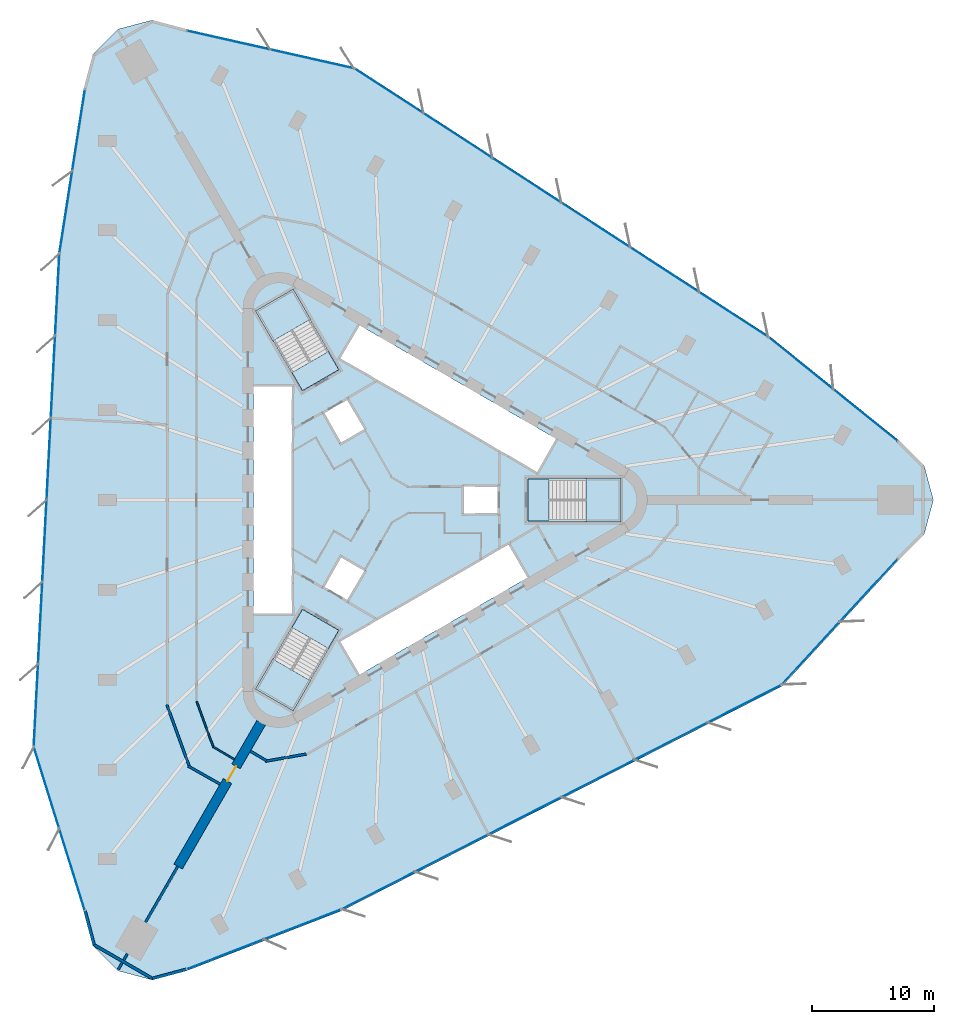
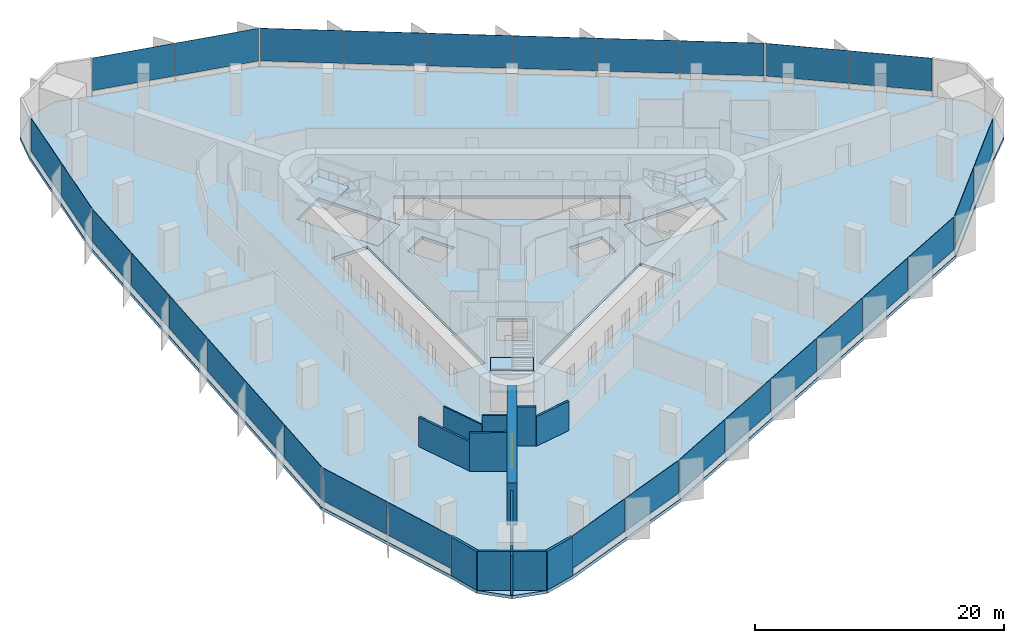
# One storey, part 8 of 14: 30 plates, 13 walls, 7 slabs, 1 door, 1 opening, 12 elements without a shape of their own.
"""IFC4 building model written with IfcOpenShell, lengths in metres."""

from ifc_helpers import new_model, si_unit, direction, frame, frame_2d, origin, origin_2d, place, context, subcontext, project, spatial, polyline, rectangle, outline, extrude, material, layer, layer_set, type_object, element, fill, aggregate, save


model = new_model("IFC4")

# Units and contexts
model_context = context("Model", 3, precision=1e-05, world=origin(), true_north=direction((0.0, 1.0)))
body_context = subcontext(model_context, "Body", "Model", "MODEL_VIEW")
ifc_project = project(units=[si_unit("LENGTHUNIT", "METRE"), si_unit("AREAUNIT", "SQUARE_METRE"), si_unit("VOLUMEUNIT", "CUBIC_METRE"), si_unit("PLANEANGLEUNIT", "RADIAN"), si_unit("MASSUNIT", "GRAM", prefix="KILO")], contexts=[model_context])

# Site, building, storey
site_placement = place(None, origin())
site = spatial("IfcSite", under=ifc_project, at=site_placement, CompositionType="ELEMENT")
building_placement = place(site_placement, origin())
building = spatial("IfcBuilding", under=site, at=building_placement, Name="Tanit Gate Tower", CompositionType="ELEMENT")
storey_placement = place(building_placement, frame((0.0, 0.0, 78.300048828125)))
storey = spatial("IfcBuildingStorey", under=building, at=storey_placement, Name="L15", CompositionType="ELEMENT", Elevation=78.300048828125)

# Slab
ifc_material_1 = material(Name="Concrete C35/45", Category="concrete")
ifc_layer_1 = layer(ifc_material_1, 0.300048828125)
ifc_layer_set_1 = layer_set([ifc_layer_1], Name="FLOOR SLAB 300 C35/45")
slab_type_1 = type_object("IfcSlabType", Name="FLOOR SLAB 300 C35/45", PredefinedType="FLOOR", material=ifc_layer_set_1)
slab_1_placement = place(storey_placement, frame((0.0, 0.0, -0.300048828125)))
element("IfcSlab", 1, at=slab_1_placement, inside=storey, type_object=slab_type_1, Name="FLOOR SLAB L15", PredefinedType="FLOOR", context=body_context, shape_type="SweptSolid", body=[
    extrude(outline(polyline([(41.88818359375, 4.897705078125), (43.958251953125, 2.82763671875), (44.716064453125, 0.0), (43.958251953125, -2.82763671875), (41.88818359375, -4.897705078125), (32.2783203125, -15.314697265625), (-3.930419921875, -33.78564453125), (-16.70263671875, -38.72509765625), (-19.5302734375, -39.48291015625), (-22.35791015625, -38.72509765625), (-24.427978515625, -36.6552734375), (-25.185791015625, -33.827392578125), (-29.40234375, -20.29638671875), (-27.294189453125, 20.29638671875), (-25.185791015625, 33.827392578125), (-24.427978515625, 36.6552734375), (-22.35791015625, 38.72509765625), (-19.5302734375, 39.48291015625), (-16.70263671875, 38.72509765625), (-2.876220703125, 35.611328125), (31.224365234375, 13.489013671875), (41.88818359375, 4.897705078125)]), holes=[polyline([(11.3701171875, 1.72998046875), (18.929931640625, 1.72998046875), (18.929931640625, -1.72998046875), (11.3701171875, -1.72998046875), (11.3701171875, 1.72998046875)]), polyline([(-4.208984375, 11.60986328125), (-2.583984375, 14.424560546875), (13.783935546875, 4.974609375), (12.158935546875, 2.159912109375), (-4.208984375, 11.60986328125)]), polyline([(-4.208984375, -11.60986328125), (9.82080078125, -3.510009765625), (11.44580078125, -6.324462890625), (-2.583984375, -14.424560546875), (-4.208984375, -11.60986328125)]), polyline([(9.0, 1.199951171875), (9.0, -1.199951171875), (6.0, -1.199951171875), (6.0, 1.199951171875), (9.0, 1.199951171875)]), polyline([(-5.539306640625, 7.194091796875), (-3.460693359375, 8.394287109375), (-1.960693359375, 5.796142578125), (-4.039306640625, 4.59619140625), (-5.539306640625, 7.194091796875)]), polyline([(-1.960693359375, -5.796142578125), (-3.460693359375, -8.394287109375), (-5.539306640625, -7.194091796875), (-4.039306640625, -4.59619140625), (-1.960693359375, -5.796142578125)]), polyline([(-10.963134765625, 15.52880859375), (-7.966796875, 17.2587890625), (-4.186767578125, 10.711669921875), (-7.18310546875, 8.981689453125), (-10.963134765625, 15.52880859375)]), polyline([(-4.186767578125, -10.711669921875), (-7.966796875, -17.2587890625), (-10.963134765625, -15.52880859375), (-7.18310546875, -8.981689453125), (-4.186767578125, -10.711669921875)]), polyline([(-11.199951171875, -9.449951171875), (-11.199951171875, 9.449951171875), (-7.949951171875, 9.449951171875), (-7.949951171875, -9.449951171875), (-11.199951171875, -9.449951171875)])]), origin(), (0.0, 0.0, 1.0), 0.300048828125),
])

# Curtain wall, plates
ifc_material_2 = material(Name="Aluminium bronze anodised and glass", Category="aluminium")
curtain_wall_type = type_object("IfcCurtainWallType", Name="Curtain wall typical low", PredefinedType="NOTDEFINED", material=ifc_material_2)
curtain_wall_1_placement = place(storey_placement, origin())
curtain_wall_1 = element("IfcCurtainWall", 2, at=curtain_wall_1_placement, inside=storey, type_object=curtain_wall_type, Name="Curtain wall L15 NE1", PredefinedType="NOTDEFINED")
ifc_material_3 = material(Name="Glass tinted", Category="glass")
ifc_layer_2 = layer(ifc_material_3, 0.031982421875)
ifc_layer_set_2 = layer_set([ifc_layer_2], Name="Glass panel 32 typical low")
plate_type = type_object("IfcPlateType", Name="Glass panel 32 typical low", PredefinedType="CURTAIN_PANEL", material=ifc_layer_set_2)
plate_1_placement = place(storey_placement, frame((39.12890625, 6.966796875, 0.60009765625), z_axis=(0.0, 0.0, 1.0), x_axis=(-0.77871831753, 0.627373717925, 0.0)))
plate_1 = element("IfcPlate", 3, at=plate_1_placement, type_object=plate_type, Name="Glass panel L15 NE1.1", PredefinedType="CURTAIN_PANEL", context=body_context, shape_type="SweptSolid", body=[
    extrude(rectangle(XDim=6.720703125, YDim=0.031982421875, at=origin_2d()), origin(), (0.0, 0.0, 1.0), 3.199951171875),
])
plate_2_placement = place(storey_placement, frame((33.8330078125, 11.2333984375, 0.60009765625), z_axis=(0.0, 0.0, 1.0), x_axis=(-0.77871831753, 0.627373717925, 0.0)))
plate_2 = element("IfcPlate", 4, at=plate_2_placement, type_object=plate_type, Name="Glass panel L15 NE1.2", PredefinedType="CURTAIN_PANEL", context=body_context, shape_type="SweptSolid", body=[
    extrude(rectangle(XDim=6.720947265625, YDim=0.031982421875, at=origin_2d()), origin(), (0.0, 0.0, 1.0), 3.199951171875),
])
aggregate(curtain_wall_1, [plate_1, plate_2])

curtain_wall_2_placement = place(storey_placement, origin())
curtain_wall_2 = element("IfcCurtainWall", 5, at=curtain_wall_2_placement, inside=storey, type_object=curtain_wall_type, Name="Curtain wall L15 NE2", PredefinedType="NOTDEFINED")
plate_3_placement = place(storey_placement, frame((28.2861328125, 15.252197265625, 0.60009765625), z_axis=(0.0, 0.0, 1.0), x_axis=(-0.838927413588, 0.544243323092, 0.0)))
plate_3 = element("IfcPlate", 6, at=plate_3_placement, type_object=plate_type, Name="Glass panel L15 NE2.1", PredefinedType="CURTAIN_PANEL", context=body_context, shape_type="SweptSolid", body=[
    extrude(rectangle(XDim=6.6767578125, YDim=0.031982421875, at=origin_2d()), origin(), (0.0, 0.0, 1.0), 3.199951171875),
])
plate_4_placement = place(storey_placement, frame((22.61767578125, 18.929443359375, 0.60009765625), z_axis=(0.0, 0.0, 1.0), x_axis=(-0.838927413588, 0.544243323092, 0.0)))
plate_4 = element("IfcPlate", 7, at=plate_4_placement, type_object=plate_type, Name="Glass panel L15 NE2.2", PredefinedType="CURTAIN_PANEL", context=body_context, shape_type="SweptSolid", body=[
    extrude(rectangle(XDim=6.6767578125, YDim=0.031982421875, at=origin_2d()), origin(), (0.0, 0.0, 1.0), 3.199951171875),
])
plate_5_placement = place(storey_placement, frame((16.949462890625, 22.606689453125, 0.60009765625), z_axis=(0.0, 0.0, 1.0), x_axis=(-0.838927413588, 0.544243323092, 0.0)))
plate_5 = element("IfcPlate", 8, at=plate_5_placement, type_object=plate_type, Name="Glass panel L15 NE2.3", PredefinedType="CURTAIN_PANEL", context=body_context, shape_type="SweptSolid", body=[
    extrude(rectangle(XDim=6.6767578125, YDim=0.031982421875, at=origin_2d()), origin(), (0.0, 0.0, 1.0), 3.199951171875),
])
plate_6_placement = place(storey_placement, frame((11.281005859375, 26.283935546875, 0.60009765625), z_axis=(0.0, 0.0, 1.0), x_axis=(-0.838927413588, 0.544243323092, 0.0)))
plate_6 = element("IfcPlate", 9, at=plate_6_placement, type_object=plate_type, Name="Glass panel L15 NE2.4", PredefinedType="CURTAIN_PANEL", context=body_context, shape_type="SweptSolid", body=[
    extrude(rectangle(XDim=6.676513671875, YDim=0.031982421875, at=origin_2d()), origin(), (0.0, 0.0, 1.0), 3.199951171875),
])
plate_7_placement = place(storey_placement, frame((5.612548828125, 29.96142578125, 0.60009765625), z_axis=(0.0, 0.0, 1.0), x_axis=(-0.838927413588, 0.544243323092, 0.0)))
plate_7 = element("IfcPlate", 10, at=plate_7_placement, type_object=plate_type, Name="Glass panel L15 NE2.5", PredefinedType="CURTAIN_PANEL", context=body_context, shape_type="SweptSolid", body=[
    extrude(rectangle(XDim=6.6767578125, YDim=0.031982421875, at=origin_2d()), origin(), (0.0, 0.0, 1.0), 3.199951171875),
])
plate_8_placement = place(storey_placement, frame((-0.0556640625, 33.638671875, 0.60009765625), z_axis=(0.0, 0.0, 1.0), x_axis=(-0.838927413588, 0.544243323092, 0.0)))
plate_8 = element("IfcPlate", 11, at=plate_8_placement, type_object=plate_type, Name="Glass panel L15 NE2.6", PredefinedType="CURTAIN_PANEL", context=body_context, shape_type="SweptSolid", body=[
    extrude(rectangle(XDim=6.6767578125, YDim=0.031982421875, at=origin_2d()), origin(), (0.0, 0.0, 1.0), 3.199951171875),
])
aggregate(curtain_wall_2, [plate_3, plate_4, plate_5, plate_6, plate_7, plate_8])

curtain_wall_3_placement = place(storey_placement, origin())
curtain_wall_3 = element("IfcCurtainWall", 12, at=curtain_wall_3_placement, inside=storey, type_object=curtain_wall_type, Name="Curtain wall L15 NE3", PredefinedType="NOTDEFINED")
plate_9_placement = place(storey_placement, frame((-6.39501953125, 36.28076171875, 0.60009765625), z_axis=(0.0, 0.0, 1.0), x_axis=(-0.975566436598, 0.219704637599, 0.0)))
plate_9 = element("IfcPlate", 13, at=plate_9_placement, type_object=plate_type, Name="Glass panel L15 NE3.1", PredefinedType="CURTAIN_PANEL", context=body_context, shape_type="SweptSolid", body=[
    extrude(rectangle(XDim=6.956787109375, YDim=0.031982421875, at=origin_2d()), origin(), (0.0, 0.0, 1.0), 3.199951171875),
])
plate_10_placement = place(storey_placement, frame((-13.259765625, 37.826904296875, 0.60009765625), z_axis=(0.0, 0.0, 1.0), x_axis=(-0.975566436598, 0.219704637599, 0.0)))
plate_10 = element("IfcPlate", 14, at=plate_10_placement, type_object=plate_type, Name="Glass panel L15 NE3.2", PredefinedType="CURTAIN_PANEL", context=body_context, shape_type="SweptSolid", body=[
    extrude(rectangle(XDim=6.956787109375, YDim=0.031982421875, at=origin_2d()), origin(), (0.0, 0.0, 1.0), 3.199951171875),
])
aggregate(curtain_wall_3, [plate_9, plate_10])

curtain_wall_4_placement = place(storey_placement, origin())
curtain_wall_4 = element("IfcCurtainWall", 15, at=curtain_wall_4_placement, inside=storey, type_object=curtain_wall_type, Name="Curtain wall L15 W1", PredefinedType="NOTDEFINED")
plate_11_placement = place(storey_placement, frame((-25.597900390625, 30.4033203125, 0.60009765625), z_axis=(0.0, 0.0, 1.0), x_axis=(-0.153962418624, -0.988076704336, 0.0)))
plate_11 = element("IfcPlate", 16, at=plate_11_placement, type_object=plate_type, Name="Glass panel L15 W1.1", PredefinedType="CURTAIN_PANEL", context=body_context, shape_type="SweptSolid", body=[
    extrude(rectangle(XDim=6.720703125, YDim=0.031982421875, at=origin_2d()), origin(), (0.0, 0.0, 1.0), 3.199951171875),
])
plate_12_placement = place(storey_placement, frame((-26.644775390625, 23.68359375, 0.60009765625), z_axis=(0.0, 0.0, 1.0), x_axis=(-0.153962418624, -0.988076704336, 0.0)))
plate_12 = element("IfcPlate", 17, at=plate_12_placement, type_object=plate_type, Name="Glass panel L15 W1.2", PredefinedType="CURTAIN_PANEL", context=body_context, shape_type="SweptSolid", body=[
    extrude(rectangle(XDim=6.720947265625, YDim=0.031982421875, at=origin_2d()), origin(), (0.0, 0.0, 1.0), 3.199951171875),
])
aggregate(curtain_wall_4, [plate_11, plate_12])

curtain_wall_5_placement = place(storey_placement, origin())
curtain_wall_5 = element("IfcCurtainWall", 18, at=curtain_wall_5_placement, inside=storey, type_object=curtain_wall_type, Name="Curtain wall L15 W2", PredefinedType="NOTDEFINED")
plate_13_placement = place(storey_placement, frame((-27.351806640625, 16.870361328125, 0.60009765625), z_axis=(0.0, 0.0, 1.0), x_axis=(-0.051864836844, -0.998654113645, 0.0)))
plate_13 = element("IfcPlate", 19, at=plate_13_placement, type_object=plate_type, Name="Glass panel L15 W2.1", PredefinedType="CURTAIN_PANEL", context=body_context, shape_type="SweptSolid", body=[
    extrude(rectangle(XDim=6.6767578125, YDim=0.031982421875, at=origin_2d()), origin(), (0.0, 0.0, 1.0), 3.199951171875),
])
plate_14_placement = place(storey_placement, frame((-27.702392578125, 10.122802734375, 0.60009765625), z_axis=(0.0, 0.0, 1.0), x_axis=(-0.051864836844, -0.998654113645, 0.0)))
plate_14 = element("IfcPlate", 20, at=plate_14_placement, type_object=plate_type, Name="Glass panel L15 W2.2", PredefinedType="CURTAIN_PANEL", context=body_context, shape_type="SweptSolid", body=[
    extrude(rectangle(XDim=6.6767578125, YDim=0.031982421875, at=origin_2d()), origin(), (0.0, 0.0, 1.0), 3.199951171875),
])
plate_15_placement = place(storey_placement, frame((-28.052734375, 3.375244140625, 0.60009765625), z_axis=(0.0, 0.0, 1.0), x_axis=(-0.051864836844, -0.998654113645, 0.0)))
plate_15 = element("IfcPlate", 21, at=plate_15_placement, type_object=plate_type, Name="Glass panel L15 W2.3", PredefinedType="CURTAIN_PANEL", context=body_context, shape_type="SweptSolid", body=[
    extrude(rectangle(XDim=6.6767578125, YDim=0.031982421875, at=origin_2d()), origin(), (0.0, 0.0, 1.0), 3.199951171875),
])
plate_16_placement = place(storey_placement, frame((-28.403076171875, -3.372314453125, 0.60009765625), z_axis=(0.0, 0.0, 1.0), x_axis=(-0.051864836844, -0.998654113645, 0.0)))
plate_16 = element("IfcPlate", 22, at=plate_16_placement, type_object=plate_type, Name="Glass panel L15 W2.4", PredefinedType="CURTAIN_PANEL", context=body_context, shape_type="SweptSolid", body=[
    extrude(rectangle(XDim=6.676513671875, YDim=0.031982421875, at=origin_2d()), origin(), (0.0, 0.0, 1.0), 3.199951171875),
])
plate_17_placement = place(storey_placement, frame((-28.753662109375, -10.119873046875, 0.60009765625), z_axis=(0.0, 0.0, 1.0), x_axis=(-0.051864836844, -0.998654113645, 0.0)))
plate_17 = element("IfcPlate", 23, at=plate_17_placement, type_object=plate_type, Name="Glass panel L15 W2.5", PredefinedType="CURTAIN_PANEL", context=body_context, shape_type="SweptSolid", body=[
    extrude(rectangle(XDim=6.6767578125, YDim=0.031982421875, at=origin_2d()), origin(), (0.0, 0.0, 1.0), 3.199951171875),
])
plate_18_placement = place(storey_placement, frame((-29.10400390625, -16.867431640625, 0.60009765625), z_axis=(0.0, 0.0, 1.0), x_axis=(-0.051864836844, -0.998654113645, 0.0)))
plate_18 = element("IfcPlate", 24, at=plate_18_placement, type_object=plate_type, Name="Glass panel L15 W2.6", PredefinedType="CURTAIN_PANEL", context=body_context, shape_type="SweptSolid", body=[
    extrude(rectangle(XDim=6.6767578125, YDim=0.031982421875, at=origin_2d()), origin(), (0.0, 0.0, 1.0), 3.199951171875),
])
aggregate(curtain_wall_5, [plate_13, plate_14, plate_15, plate_16, plate_17, plate_18])

curtain_wall_6_placement = place(storey_placement, origin())
curtain_wall_6 = element("IfcCurtainWall", 25, at=curtain_wall_6_placement, inside=storey, type_object=curtain_wall_type, Name="Curtain wall L15 W3", PredefinedType="NOTDEFINED")
plate_19_placement = place(storey_placement, frame((-28.22265625, -23.6787109375, 0.60009765625), z_axis=(0.0, 0.0, 1.0), x_axis=(0.297513420809, -0.954717635973, 0.0)))
plate_19 = element("IfcPlate", 26, at=plate_19_placement, type_object=plate_type, Name="Glass panel L15 W3.1", PredefinedType="CURTAIN_PANEL", context=body_context, shape_type="SweptSolid", body=[
    extrude(rectangle(XDim=6.956787109375, YDim=0.031982421875, at=origin_2d()), origin(), (0.0, 0.0, 1.0), 3.199951171875),
])
plate_20_placement = place(storey_placement, frame((-26.129150390625, -30.396728515625, 0.60009765625), z_axis=(0.0, 0.0, 1.0), x_axis=(0.297513420809, -0.954717635973, 0.0)))
plate_20 = element("IfcPlate", 27, at=plate_20_placement, type_object=plate_type, Name="Glass panel L15 W3.2", PredefinedType="CURTAIN_PANEL", context=body_context, shape_type="SweptSolid", body=[
    extrude(rectangle(XDim=6.956787109375, YDim=0.031982421875, at=origin_2d()), origin(), (0.0, 0.0, 1.0), 3.199951171875),
])
aggregate(curtain_wall_6, [plate_19, plate_20])

curtain_wall_7_placement = place(storey_placement, origin())
curtain_wall_7 = element("IfcCurtainWall", 28, at=curtain_wall_7_placement, inside=storey, type_object=curtain_wall_type, Name="Curtain wall L15 SE1", PredefinedType="NOTDEFINED")
plate_21_placement = place(storey_placement, frame((-13.53125, -37.369873046875, 0.60009765625), z_axis=(0.0, 0.0, 1.0), x_axis=(0.932680736155, 0.360702986411, 0.0)))
plate_21 = element("IfcPlate", 29, at=plate_21_placement, type_object=plate_type, Name="Glass panel L15 SE1.1", PredefinedType="CURTAIN_PANEL", context=body_context, shape_type="SweptSolid", body=[
    extrude(rectangle(XDim=6.720703125, YDim=0.031982421875, at=origin_2d()), origin(), (0.0, 0.0, 1.0), 3.199951171875),
])
plate_22_placement = place(storey_placement, frame((-7.188232421875, -34.9169921875, 0.60009765625), z_axis=(0.0, 0.0, 1.0), x_axis=(0.932680736155, 0.360702986411, 0.0)))
plate_22 = element("IfcPlate", 30, at=plate_22_placement, type_object=plate_type, Name="Glass panel L15 SE1.2", PredefinedType="CURTAIN_PANEL", context=body_context, shape_type="SweptSolid", body=[
    extrude(rectangle(XDim=6.720947265625, YDim=0.031982421875, at=origin_2d()), origin(), (0.0, 0.0, 1.0), 3.199951171875),
])
aggregate(curtain_wall_7, [plate_21, plate_22])

curtain_wall_8_placement = place(storey_placement, origin())
curtain_wall_8 = element("IfcCurtainWall", 31, at=curtain_wall_8_placement, inside=storey, type_object=curtain_wall_type, Name="Curtain wall L15 SE2", PredefinedType="NOTDEFINED")
plate_23_placement = place(storey_placement, frame((-0.934326171875, -32.12255859375, 0.60009765625), z_axis=(0.0, 0.0, 1.0), x_axis=(0.890792250432, 0.454410790552, 0.0)))
plate_23 = element("IfcPlate", 32, at=plate_23_placement, type_object=plate_type, Name="Glass panel L15 SE2.1", PredefinedType="CURTAIN_PANEL", context=body_context, shape_type="SweptSolid", body=[
    extrude(rectangle(XDim=6.6767578125, YDim=0.031982421875, at=origin_2d()), origin(), (0.0, 0.0, 1.0), 3.199951171875),
])
plate_24_placement = place(storey_placement, frame((5.08447265625, -29.05224609375, 0.60009765625), z_axis=(0.0, 0.0, 1.0), x_axis=(0.890792250432, 0.454410790552, 0.0)))
plate_24 = element("IfcPlate", 33, at=plate_24_placement, type_object=plate_type, Name="Glass panel L15 SE2.2", PredefinedType="CURTAIN_PANEL", context=body_context, shape_type="SweptSolid", body=[
    extrude(rectangle(XDim=6.6767578125, YDim=0.031982421875, at=origin_2d()), origin(), (0.0, 0.0, 1.0), 3.199951171875),
])
plate_25_placement = place(storey_placement, frame((11.103271484375, -25.98193359375, 0.60009765625), z_axis=(0.0, 0.0, 1.0), x_axis=(0.890792250432, 0.454410790552, 0.0)))
plate_25 = element("IfcPlate", 34, at=plate_25_placement, type_object=plate_type, Name="Glass panel L15 SE2.3", PredefinedType="CURTAIN_PANEL", context=body_context, shape_type="SweptSolid", body=[
    extrude(rectangle(XDim=6.6767578125, YDim=0.031982421875, at=origin_2d()), origin(), (0.0, 0.0, 1.0), 3.199951171875),
])
plate_26_placement = place(storey_placement, frame((17.1220703125, -22.91162109375, 0.60009765625), z_axis=(0.0, 0.0, 1.0), x_axis=(0.890792250432, 0.454410790552, 0.0)))
plate_26 = element("IfcPlate", 35, at=plate_26_placement, type_object=plate_type, Name="Glass panel L15 SE2.4", PredefinedType="CURTAIN_PANEL", context=body_context, shape_type="SweptSolid", body=[
    extrude(rectangle(XDim=6.676513671875, YDim=0.031982421875, at=origin_2d()), origin(), (0.0, 0.0, 1.0), 3.199951171875),
])
plate_27_placement = place(storey_placement, frame((23.140869140625, -19.84130859375, 0.60009765625), z_axis=(0.0, 0.0, 1.0), x_axis=(0.890792250432, 0.454410790552, 0.0)))
plate_27 = element("IfcPlate", 36, at=plate_27_placement, type_object=plate_type, Name="Glass panel L15 SE2.5", PredefinedType="CURTAIN_PANEL", context=body_context, shape_type="SweptSolid", body=[
    extrude(rectangle(XDim=6.6767578125, YDim=0.031982421875, at=origin_2d()), origin(), (0.0, 0.0, 1.0), 3.199951171875),
])
plate_28_placement = place(storey_placement, frame((29.15966796875, -16.77099609375, 0.60009765625), z_axis=(0.0, 0.0, 1.0), x_axis=(0.890792250432, 0.454410790552, 0.0)))
plate_28 = element("IfcPlate", 37, at=plate_28_placement, type_object=plate_type, Name="Glass panel L15 SE2.6", PredefinedType="CURTAIN_PANEL", context=body_context, shape_type="SweptSolid", body=[
    extrude(rectangle(XDim=6.6767578125, YDim=0.031982421875, at=origin_2d()), origin(), (0.0, 0.0, 1.0), 3.199951171875),
])
aggregate(curtain_wall_8, [plate_23, plate_24, plate_25, plate_26, plate_27, plate_28])

curtain_wall_9_placement = place(storey_placement, origin())
curtain_wall_9 = element("IfcCurtainWall", 38, at=curtain_wall_9_placement, inside=storey, type_object=curtain_wall_type, Name="Curtain wall L15 SE3", PredefinedType="NOTDEFINED")
plate_29_placement = place(storey_placement, frame((34.61767578125, -12.602294921875, 0.60009765625), z_axis=(0.0, 0.0, 1.0), x_axis=(0.678053015789, 0.735012998374, 0.0)))
plate_29 = element("IfcPlate", 39, at=plate_29_placement, type_object=plate_type, Name="Glass panel L15 SE3.1", PredefinedType="CURTAIN_PANEL", context=body_context, shape_type="SweptSolid", body=[
    extrude(rectangle(XDim=6.956787109375, YDim=0.031982421875, at=origin_2d()), origin(), (0.0, 0.0, 1.0), 3.199951171875),
])
plate_30_placement = place(storey_placement, frame((39.388916015625, -7.429931640625, 0.60009765625), z_axis=(0.0, 0.0, 1.0), x_axis=(0.678053015789, 0.735012998374, 0.0)))
plate_30 = element("IfcPlate", 40, at=plate_30_placement, type_object=plate_type, Name="Glass panel L15 SE3.2", PredefinedType="CURTAIN_PANEL", context=body_context, shape_type="SweptSolid", body=[
    extrude(rectangle(XDim=6.956787109375, YDim=0.031982421875, at=origin_2d()), origin(), (0.0, 0.0, 1.0), 3.199951171875),
])
aggregate(curtain_wall_9, [plate_29, plate_30])

# Stair, slab
ifc_material_4 = material(Name="Concrete C40/50", Category="concrete")
stair_type = type_object("IfcStairType", Name="INT-STAIR-EXIT", PredefinedType="HALF_TURN_STAIR", material=ifc_material_4)
stair_1_placement = place(storey_placement, origin())
stair_1 = element("IfcStair", 41, at=stair_1_placement, inside=storey, type_object=stair_type, Name="L15 STAIR S1", PredefinedType="HALF_TURN_STAIR")
ifc_material_5 = material(Name="Concrete C40/50", Category="concrete")
ifc_layer_3 = layer(ifc_material_5, 0.199951171875)
ifc_layer_set_3 = layer_set([ifc_layer_3], Name="INT-STAIR-LANDING")
slab_type_2 = type_object("IfcSlabType", Name="INT-STAIR-LANDING", PredefinedType="LANDING", material=ifc_layer_set_3)
slab_2_placement = place(storey_placement, frame((0.0, 0.0, 1.849853515625)))
slab_2 = element("IfcSlab", 42, at=slab_2_placement, type_object=slab_type_2, Name="S1 landing 1", PredefinedType="LANDING", context=body_context, shape_type="SweptSolid", body=[
    extrude(outline(polyline([(16.135986328125, -1.800048828125), (19.0, -1.800048828125), (19.0, 1.800048828125), (16.135986328125, 1.800048828125), (16.135986328125, -1.800048828125)])), origin(), (0.0, 0.0, 1.0), 0.2001953125),
])
aggregate(stair_1, [slab_2])

# Slab
slab_3_placement = place(storey_placement, frame((0.0, 0.0, -0.199951171875)))
element("IfcSlab", 43, at=slab_3_placement, inside=storey, type_object=slab_type_2, Name="S1 floor landing", PredefinedType="LANDING", context=body_context, shape_type="SweptSolid", body=[
    extrude(outline(polyline([(11.3798828125, -1.719970703125), (13.10498046875, -1.719970703125), (13.10498046875, 1.719970703125), (11.3798828125, 1.719970703125), (11.3798828125, -1.719970703125)])), origin(), (0.0, 0.0, 1.0), 0.199951171875),
])

# Stair, slab
stair_2_placement = place(storey_placement, origin())
stair_2 = element("IfcStair", 44, at=stair_2_placement, inside=storey, type_object=stair_type, Name="L15 STAIR S2", PredefinedType="HALF_TURN_STAIR")
slab_4_placement = place(storey_placement, frame((0.0, 0.0, 1.849853515625)))
slab_4 = element("IfcSlab", 45, at=slab_4_placement, type_object=slab_type_2, Name="S2 landing 1", PredefinedType="LANDING", context=body_context, shape_type="SweptSolid", body=[
    extrude(outline(polyline([(-6.5078125, 14.871826171875), (-7.941162109375, 17.3544921875), (-11.058837890625, 15.554443359375), (-9.62548828125, 13.07177734375), (-6.5078125, 14.871826171875)])), origin(), (0.0, 0.0, 1.0), 0.2001953125),
])
aggregate(stair_2, [slab_4])

# Slab
slab_5_placement = place(storey_placement, frame((0.0, 0.0, -0.199951171875)))
element("IfcSlab", 46, at=slab_5_placement, inside=storey, type_object=slab_type_2, Name="S2 floor landing", PredefinedType="LANDING", context=body_context, shape_type="SweptSolid", body=[
    extrude(outline(polyline([(-4.200439453125, 10.71533203125), (-5.0625, 12.20849609375), (-8.04150390625, 10.48828125), (-7.179443359375, 8.995361328125), (-4.200439453125, 10.71533203125)])), origin(), (0.0, 0.0, 1.0), 0.199951171875),
])

# Stair, slab
stair_3_placement = place(storey_placement, origin())
stair_3 = element("IfcStair", 47, at=stair_3_placement, inside=storey, type_object=stair_type, Name="L15 STAIR S3", PredefinedType="HALF_TURN_STAIR")
slab_6_placement = place(storey_placement, frame((0.0, 0.0, 1.849853515625)))
slab_6 = element("IfcSlab", 48, at=slab_6_placement, type_object=slab_type_2, Name="S3 landing 1", PredefinedType="LANDING", context=body_context, shape_type="SweptSolid", body=[
    extrude(outline(polyline([(-9.626953125, -13.07421875), (-11.058837890625, -15.554443359375), (-7.941162109375, -17.3544921875), (-6.509033203125, -14.874267578125), (-9.626953125, -13.07421875)])), origin(), (0.0, 0.0, 1.0), 0.2001953125),
])
aggregate(stair_3, [slab_6])

# Slab
slab_7_placement = place(storey_placement, frame((0.0, 0.0, -0.199951171875)))
element("IfcSlab", 49, at=slab_7_placement, inside=storey, type_object=slab_type_2, Name="S3 floor landing", PredefinedType="LANDING", context=body_context, shape_type="SweptSolid", body=[
    extrude(outline(polyline([(-7.179443359375, -8.995361328125), (-8.0419921875, -10.4892578125), (-5.06298828125, -12.209228515625), (-4.200439453125, -10.71533203125), (-7.179443359375, -8.995361328125)])), origin(), (0.0, 0.0, 1.0), 0.199951171875),
])

# Wall, opening, door
ifc_material_6 = material(Name="Concrete C60/75", Category="concrete")
ifc_layer_4 = layer(ifc_material_6, 0.800048828125)
ifc_layer_set_4 = layer_set([ifc_layer_4], Name="BUTTRESS FIN 800 C60/75")
wall_type_1 = type_object("IfcWallType", Name="BUTTRESS FIN 800 C60/75", PredefinedType="SHEAR", material=ifc_layer_set_4)
wall_1_placement = place(storey_placement, frame((-10.574951171875, -18.31640625, 0.0), z_axis=(0.0, 0.0, 1.0), x_axis=(-0.499998162141, -0.86602646487, 0.0)))
wall_1 = element("IfcWall", 50, at=wall_1_placement, inside=storey, type_object=wall_type_1, Name="BUTTRESS FIN", PredefinedType="SHEAR", context=body_context, shape_type="SweptSolid", body=[
    extrude(rectangle(XDim=13.66943359375, YDim=0.800048828125, at=frame_2d((6.834716796875, 0.0))), origin(), (0.0, 0.0, 1.0), 4.099853515625),
])
opening_placement = place(wall_1_placement, frame((4.14990234375, 0.0, 0.0)))
opening = element("IfcOpeningElement", 51, at=opening_placement, cuts=wall_1, Name="Opening P14-S02-F-SW-1", PredefinedType="OPENING", context=body_context, shape_type="SweptSolid", body=[
    extrude(rectangle(XDim=1.39990234375, YDim=2.39990234375, at=frame_2d((0.699951171875, 1.199951171875))), frame((0.0, 0.41015625, 0.0), z_axis=(0.0, -1.0, 0.0), x_axis=(1.0, 0.0, 0.0)), (0.0, 0.0, 1.0), 0.820068359375),
])
ifc_material_7 = material(Name="Timber door leaf", Category="wood")
door_type = type_object("IfcDoorType", Name="INT-DOOR-FIN-PAIR-1400", OperationType="NOTDEFINED", PredefinedType="NOTDEFINED", material=ifc_material_7)
door_placement = place(opening_placement, origin())
door = element("IfcDoor", 52, at=door_placement, inside=storey, type_object=door_type, Name="Door P14-S02-F-SW-1", OperationType="DOUBLE_DOOR_SINGLE_SWING", OverallHeight=2.39990234375, OverallWidth=1.39990234375, PredefinedType="NOTDEFINED", context=body_context, shape_type="SweptSolid", body=[
    extrude(rectangle(XDim=1.39990234375, YDim=2.39990234375, at=frame_2d((0.699951171875, 1.199951171875))), frame((0.0, 0.02490234375, 0.0), z_axis=(0.0, -1.0, 0.0), x_axis=(1.0, 0.0, 0.0)), (0.0, 0.0, 1.0), 0.050048828125),
])
fill(opening, door)

# Walls
ifc_material_8 = material(Name="Concrete C30/37 with bronze anodised aluminium cladding", Category="concrete")
ifc_layer_5 = layer(ifc_material_8, 0.239990234375)
ifc_layer_set_5 = layer_set([ifc_layer_5], Name="Facade wall bronze clad 240")
wall_type_2 = type_object("IfcWallType", Name="Facade wall bronze clad 240", PredefinedType="SOLIDWALL", material=ifc_layer_set_5)
wall_2_placement = place(storey_placement, frame((-25.0703125, -33.794189453125, 0.0), z_axis=(0.0, 0.0, 1.0), x_axis=(0.258837161991, -0.965920971701, 0.0)))
element("IfcWall", 53, at=wall_2_placement, inside=storey, type_object=wall_type_2, Name="Bronze-clad facade wall L15 SW.arc1", PredefinedType="SOLIDWALL", context=body_context, shape_type="SweptSolid", body=[
    extrude(rectangle(XDim=2.8974609375, YDim=0.239990234375, at=frame_2d((1.44873046875, 0.0))), origin(), (0.0, 0.0, 1.0), 3.800048828125),
])
wall_3_placement = place(storey_placement, frame((-24.3203125, -36.593017578125, 0.0), z_axis=(0.0, 0.0, 1.0), x_axis=(0.866017993231, -0.500012835235, 0.0)))
element("IfcWall", 54, at=wall_3_placement, inside=storey, type_object=wall_type_2, Name="Bronze-clad facade wall L15 SW.arc2", PredefinedType="SOLIDWALL", context=body_context, shape_type="SweptSolid", body=[
    extrude(rectangle(XDim=5.531005859375, YDim=0.239990234375, at=frame_2d((2.765625, 0.0))), origin(), (0.0, 0.0, 1.0), 3.800048828125),
])
wall_4_placement = place(storey_placement, frame((-19.5302734375, -39.358642578125, 0.0), z_axis=(0.0, 0.0, 1.0), x_axis=(0.965912964575, 0.258867040904, 0.0)))
element("IfcWall", 55, at=wall_4_placement, inside=storey, type_object=wall_type_2, Name="Bronze-clad facade wall L15 SW.arc3", PredefinedType="SOLIDWALL", context=body_context, shape_type="SweptSolid", body=[
    extrude(rectangle(XDim=2.888671875, YDim=0.239990234375, at=frame_2d((1.4443359375, 0.0))), origin(), (0.0, 0.0, 1.0), 3.800048828125),
])
ifc_material_9 = material(Name="Fire-rated gypsum board partition")
ifc_layer_6 = layer(ifc_material_9, 0.199951171875)
ifc_layer_set_6 = layer_set([ifc_layer_6], Name="INT-WALL-COMPARTMENT")
wall_type_3 = type_object("IfcWallType", Name="INT-WALL-COMPARTMENT", PredefinedType="PARTITIONING", material=ifc_layer_set_6)
wall_5_placement = place(storey_placement, frame((-16.576416015625, -21.89208984375, 0.0), z_axis=(0.0, 0.0, 1.0), x_axis=(0.870559817111, -0.492062602553, 0.0)))
element("IfcWall", 56, at=wall_5_placement, inside=storey, type_object=wall_type_3, Name="Wall Compartment W088", PredefinedType="PARTITIONING", context=body_context, shape_type="SweptSolid", body=[
    extrude(rectangle(XDim=3.009765625, YDim=0.199951171875, at=frame_2d((1.5048828125, 0.0))), origin(), (0.0, 0.0, 1.0), 3.800048828125),
])
wall_6_placement = place(storey_placement, frame((-18.334228515625, -16.84033203125, 0.0), z_axis=(0.0, 0.0, 1.0), x_axis=(0.342015877493, -0.939694173411, 0.0)))
element("IfcWall", 57, at=wall_6_placement, inside=storey, type_object=wall_type_3, Name="Wall Compartment W089", PredefinedType="PARTITIONING", context=body_context, shape_type="SweptSolid", body=[
    extrude(rectangle(XDim=5.388671875, YDim=0.199951171875, at=frame_2d((2.6943359375, 0.0))), origin(), (0.0, 0.0, 1.0), 2.8798828125),
])
wall_7_placement = place(storey_placement, frame((-10.22021484375, -21.489501953125, 0.0), z_axis=(0.0, 0.0, 1.0), x_axis=(0.984805188344, 0.173662721995, 0.0)))
element("IfcWall", 58, at=wall_7_placement, inside=storey, type_object=wall_type_3, Name="Wall Compartment W107", PredefinedType="PARTITIONING", context=body_context, shape_type="SweptSolid", body=[
    extrude(rectangle(XDim=3.40771484375, YDim=0.199951171875, at=frame_2d((1.703857421875, 0.0))), origin(), (0.0, 0.0, 1.0), 2.8798828125),
])
wall_8_placement = place(storey_placement, frame((-11.46484375, -20.657470703125, 0.0), z_axis=(0.0, 0.0, 1.0), x_axis=(0.858376755127, -0.513019830276, 0.0)))
element("IfcWall", 59, at=wall_8_placement, inside=storey, type_object=wall_type_3, Name="Wall Compartment W108", PredefinedType="PARTITIONING", context=body_context, shape_type="SweptSolid", body=[
    extrude(rectangle(XDim=1.533203125, YDim=0.199951171875, at=frame_2d((0.7666015625, 0.0))), origin(), (0.0, 0.0, 1.0), 3.800048828125),
])
wall_9_placement = place(storey_placement, frame((-22.31787109375, -38.595703125, 0.0), z_axis=(0.0, 0.0, 1.0), x_axis=(0.500078582497, 0.865980029404, 0.0)))
element("IfcWall", 60, at=wall_9_placement, inside=storey, type_object=wall_type_3, Name="Wall Compartment W110", PredefinedType="PARTITIONING", context=body_context, shape_type="SweptSolid", body=[
    extrude(rectangle(XDim=0.61328125, YDim=0.199951171875, at=frame_2d((0.306640625, 0.0))), origin(), (0.0, 0.0, 1.0), 3.800048828125),
])
wall_10_placement = place(storey_placement, frame((-21.891357421875, -37.85693359375, 0.0), z_axis=(0.0, 0.0, 1.0), x_axis=(0.49994015576, 0.866059952115, 0.0)))
element("IfcWall", 61, at=wall_10_placement, inside=storey, type_object=wall_type_3, Name="Wall Compartment W110x1", PredefinedType="PARTITIONING", context=body_context, shape_type="SweptSolid", body=[
    extrude(rectangle(XDim=0.61474609375, YDim=0.199951171875, at=frame_2d((0.307373046875, 0.0))), origin(), (0.0, 0.0, 1.0), 3.800048828125),
])
wall_11_placement = place(storey_placement, frame((-20.083984375, -34.7265625, 0.0), z_axis=(0.0, 0.0, 1.0), x_axis=(0.499991120112, 0.86603053053, 0.0)))
element("IfcWall", 62, at=wall_11_placement, inside=storey, type_object=wall_type_3, Name="Wall Compartment W111", PredefinedType="PARTITIONING", context=body_context, shape_type="SweptSolid", body=[
    extrude(rectangle(XDim=5.29638671875, YDim=0.199951171875, at=frame_2d((2.648193359375, 0.0))), origin(), (0.0, 0.0, 1.0), 3.369873046875),
])
ifc_material_10 = material(Name="Gypsum board partition")
ifc_layer_7 = layer(ifc_material_10, 0.1201171875)
ifc_layer_set_7 = layer_set([ifc_layer_7], Name="INT-WALL-PARTITION")
wall_type_4 = type_object("IfcWallType", Name="INT-WALL-PARTITION", PredefinedType="PARTITIONING", material=ifc_layer_set_7)
wall_12_placement = place(storey_placement, frame((-15.87939453125, -16.5673828125, 0.0), z_axis=(0.0, 0.0, 1.0), x_axis=(0.341999322503, -0.939700198685, 0.0)))
element("IfcWall", 63, at=wall_12_placement, inside=storey, type_object=wall_type_4, Name="Wall Partition W086", PredefinedType="PARTITIONING", context=body_context, shape_type="SweptSolid", body=[
    extrude(rectangle(XDim=4.053955078125, YDim=0.1201171875, at=frame_2d((2.02685546875, 0.0))), origin(), (0.0, 0.0, 1.0), 2.8798828125),
])
wall_13_placement = place(storey_placement, frame((-14.494140625, -20.322021484375, 0.0), z_axis=(0.0, 0.0, 1.0), x_axis=(0.859745408261, -0.510722853389, 0.0)))
element("IfcWall", 64, at=wall_13_placement, inside=storey, type_object=wall_type_4, Name="Wall Partition W087", PredefinedType="PARTITIONING", context=body_context, shape_type="SweptSolid", body=[
    extrude(rectangle(XDim=1.991455078125, YDim=0.1201171875, at=frame_2d((0.99560546875, 0.0))), origin(), (0.0, 0.0, 1.0), 3.800048828125),
])

save(model, "model.ifc")
